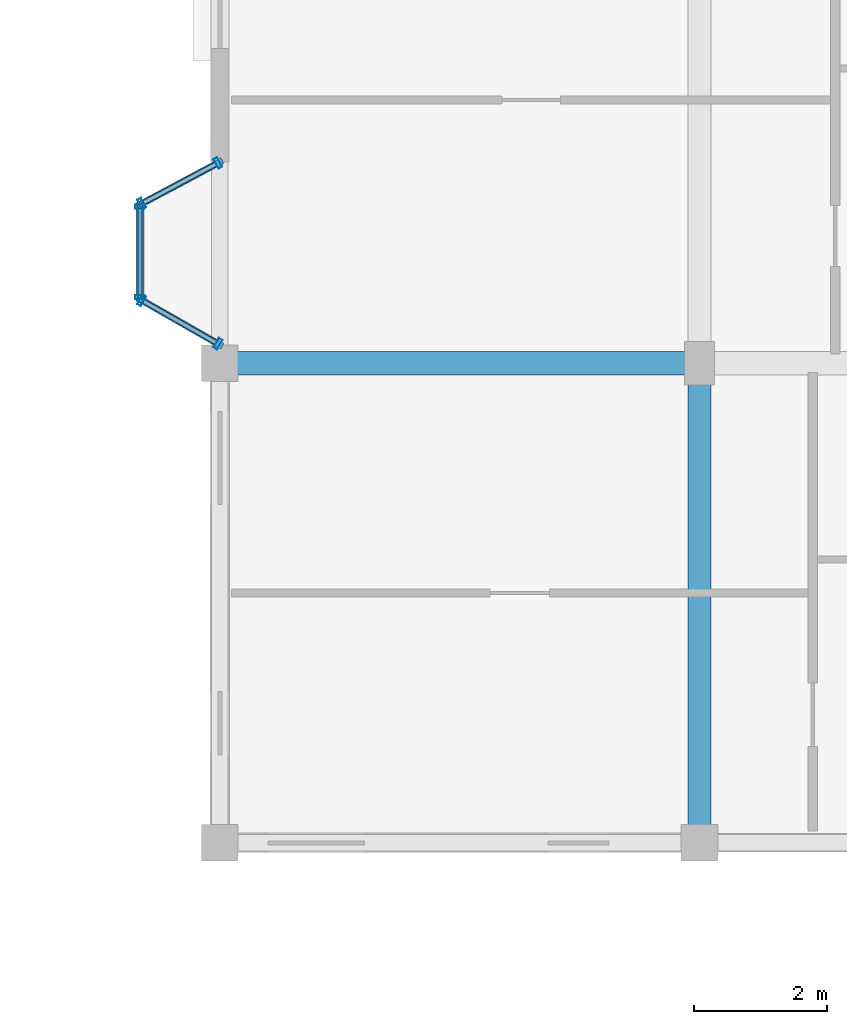
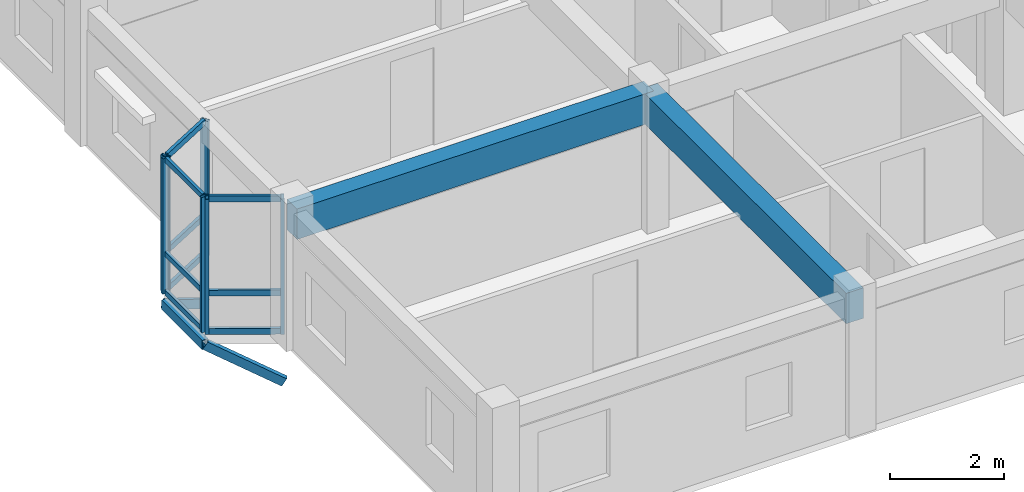
# One storey, part 21 of 77: 18 members, 2 beams, 3 elements without a shape of their own.
"""IFC4 building model written with IfcOpenShell, lengths in metres."""

import ifcopenshell
import ifcopenshell.guid

model = None  # the IFC model being written
_history = None  # IfcOwnerHistory: only IFC2X3 demands one
_inside = {}  # id of a spatial element -> (the spatial element, [elements in it])
_under = {}  # id of a project, library or spatial element -> (it, [spatial elements below it])
_declared = {}  # id of a project -> (the project, [libraries it declares])
_typed = {}  # id of a type object -> (the type object, [elements of that type])
_made_of = {}  # id of a material, layer set ... -> (it, [elements and type objects made of it])


def new_model(schema):
    """Start an empty IFC model of exactly this schema.

    Asked for "IFC4X3", IfcOpenShell would pick the latest addendum, in which some entities
    have other attributes; the version numbers below select the first issue.
    IFC2X3 requires an IfcOwnerHistory on every rooted entity: one is made here for all.
    """
    global model, _history
    if schema == "IFC4X3":
        model = ifcopenshell.file(schema_version=(4, 3, 0, 0))
    else:
        model = ifcopenshell.file(schema=schema)
    _inside.clear()
    _under.clear()
    _declared.clear()
    _typed.clear()
    _made_of.clear()
    _history = None
    if model.schema == "IFC2X3":
        org = make("IfcOrganization", Name="unknown")
        user = make(
            "IfcPersonAndOrganization",
            ThePerson=make("IfcPerson", FamilyName="unknown"),
            TheOrganization=org,
        )
        app = make(
            "IfcApplication",
            ApplicationDeveloper=org,
            Version="unknown",
            ApplicationFullName="unknown",
            ApplicationIdentifier="unknown",
        )
        _history = make(
            "IfcOwnerHistory",
            OwningUser=user,
            OwningApplication=app,
            ChangeAction="ADDED",
            CreationDate=0,
        )
    return model


def make(cls, **values):
    """One entity of the class cls with the attributes given. An attribute that is None is left unset."""
    return model.create_entity(
        cls, **{name: value for name, value in values.items() if value is not None}
    )


def rooted(cls, **values):
    """An entity with a GlobalId (a new one), such as an element, a storey or a relation."""
    return make(cls, GlobalId=ifcopenshell.guid.new(), OwnerHistory=_history, **values)


def si_unit(unit_type, name, prefix=None):
    """IfcSIUnit, for example si_unit("LENGTHUNIT", "METRE", prefix="MILLI")."""
    return make("IfcSIUnit", UnitType=unit_type, Prefix=prefix, Name=name)


def assignment(units):
    """IfcUnitAssignment: the units of a project."""
    return None if units is None else make("IfcUnitAssignment", Units=units)


def point(xyz):
    """IfcCartesianPoint."""
    return None if xyz is None else make("IfcCartesianPoint", Coordinates=xyz)


def direction(xyz):
    """IfcDirection."""
    return None if xyz is None else make("IfcDirection", DirectionRatios=xyz)


def frame(location, z_axis=None, x_axis=None):
    """IfcAxis2Placement3D, a coordinate frame: its origin and axes. An axis left out is left unset."""
    return make(
        "IfcAxis2Placement3D",
        Location=point(location),
        Axis=direction(z_axis),
        RefDirection=direction(x_axis),
    )


def frame_2d(location, x_axis=None):
    """IfcAxis2Placement2D, a coordinate frame in the plane: its origin and x axis."""
    return make(
        "IfcAxis2Placement2D", Location=point(location), RefDirection=direction(x_axis)
    )


def origin():
    """The frame at (0, 0, 0) with its axes left unset."""
    return frame((0.0, 0.0, 0.0))


def origin_2d():
    """The frame at (0, 0) in the plane with its x axis left unset."""
    return frame_2d((0.0, 0.0))


def place(relative_to, where):
    """IfcLocalPlacement: puts the frame where relative to a parent placement (None: the world)."""
    return make(
        "IfcLocalPlacement", PlacementRelTo=relative_to, RelativePlacement=where
    )


def context(
    kind, dimensions, precision=None, world=None, true_north=None, identifier=None
):
    """IfcGeometricRepresentationContext, for example the 3D "Model" context."""
    return make(
        "IfcGeometricRepresentationContext",
        ContextIdentifier=identifier,
        ContextType=kind,
        CoordinateSpaceDimension=dimensions,
        Precision=precision,
        WorldCoordinateSystem=world,
        TrueNorth=true_north,
    )


def subcontext(parent, identifier, kind, view, scale=None):
    """IfcGeometricRepresentationSubContext, for example "Body" below "Model"."""
    return make(
        "IfcGeometricRepresentationSubContext",
        ContextIdentifier=identifier,
        ContextType=kind,
        ParentContext=parent,
        TargetScale=scale,
        TargetView=view,
    )


def project(units=None, contexts=None):
    """IfcProject with its units and contexts."""
    return rooted(
        "IfcProject",
        Name="project",
        RepresentationContexts=contexts,
        UnitsInContext=assignment(units),
    )


def spatial(cls, under=None, at=None, **own):
    """A site, building, storey or space (cls), placed at a placement, below another one or the project."""
    s = rooted(cls, ObjectPlacement=at, **own)
    if under is not None:
        _under.setdefault(under.id(), (under, []))[1].append(s)
    return s


def profile(cls, at=None, kind="AREA", **sizes):
    """A parametric profile (cls). Its sizes go by their IFC names, for example OverallWidth=200.0."""
    return make(cls, ProfileType=kind, Position=at, **sizes)


def rectangle(**sizes):
    """IfcRectangleProfileDef."""
    return profile("IfcRectangleProfileDef", **sizes)


def hollow_rectangle(**sizes):
    """IfcRectangleHollowProfileDef."""
    return profile("IfcRectangleHollowProfileDef", **sizes)


def extrude(swept, where, along, depth):
    """IfcExtrudedAreaSolid: the profile swept, set in the frame where, extruded along a direction by depth."""
    return make(
        "IfcExtrudedAreaSolid",
        SweptArea=swept,
        Position=where,
        ExtrudedDirection=direction(along),
        Depth=depth,
    )


def shape(context_of_items, identifier, shape_type, items):
    """IfcShapeRepresentation: the items that make up one representation, for example the "Body"."""
    return make(
        "IfcShapeRepresentation",
        ContextOfItems=context_of_items,
        RepresentationIdentifier=identifier,
        RepresentationType=shape_type,
        Items=items,
    )


def material(Name=None, Category=None):
    """IfcMaterial."""
    return make("IfcMaterial", Name=Name, Category=Category)


def layer(
    of_material, thickness, ventilated=None, Name=None, Category=None, Priority=None
):
    """IfcMaterialLayer: one layer of a wall or slab, of a material (None: an air gap)."""
    return make(
        "IfcMaterialLayer",
        Material=of_material,
        LayerThickness=thickness,
        IsVentilated=ventilated,
        Name=Name,
        Category=Category,
        Priority=Priority,
    )


def layer_set(layers, Name=None):
    """IfcMaterialLayerSet."""
    return make("IfcMaterialLayerSet", MaterialLayers=layers, LayerSetName=Name)


def material_profile(
    of_material, cross_section, Name=None, Category=None, Priority=None
):
    """IfcMaterialProfile: a cross section and its material."""
    return make(
        "IfcMaterialProfile",
        Name=Name,
        Material=of_material,
        Profile=cross_section,
        Priority=Priority,
        Category=Category,
    )


def profile_set(profiles, Name=None, composite=None):
    """IfcMaterialProfileSet."""
    return make(
        "IfcMaterialProfileSet",
        Name=Name,
        MaterialProfiles=profiles,
        CompositeProfile=composite,
    )


def made_of(thing, what):
    """Note that an element or type object is made of a material, layer set ...; save() writes the relation."""
    if what is not None:
        _made_of.setdefault(what.id(), (what, []))[1].append(thing)
    return thing


def type_object(cls, material=None, **own):
    """A type object (cls), such as IfcWallType, which elements share."""
    return made_of(rooted(cls, **own), material)


def element(
    cls,
    number,
    at=None,
    inside=None,
    cuts=None,
    type_object=None,
    material=None,
    context=None,
    identifier="Body",
    shape_type=None,
    held_by="IfcProductDefinitionShape",
    body=None,
    shapes=None,
    **own,
):
    """One element of the class cls, such as IfcWall. Its Tag is "e" and its number.

    at: its placement. inside: the storey or other place that contains it. cuts: it is an
    opening in that element (IfcRelVoidsElement). A single representation is given by context,
    identifier, shape_type and body (its items); several are given by shapes. held_by: the class
    of the entity that holds the representations. save() writes the other relations.
    """
    e = rooted(cls, Tag="e%d" % number, ObjectPlacement=at, **own)
    if body is not None:
        shapes = [shape(context, identifier, shape_type, body)]
    if shapes is not None:
        e.Representation = make(held_by, Representations=shapes)
    if inside is not None:
        _inside.setdefault(inside.id(), (inside, []))[1].append(e)
    if cuts is not None:
        rooted(
            "IfcRelVoidsElement", RelatingBuildingElement=cuts, RelatedOpeningElement=e
        )
    if type_object is not None:
        _typed.setdefault(type_object.id(), (type_object, []))[1].append(e)
    return made_of(e, material)


def aggregate(whole, parts):
    """IfcRelAggregates: a whole, such as a stair, and the parts it consists of."""
    return rooted("IfcRelAggregates", RelatingObject=whole, RelatedObjects=parts)


def save(model, path):
    """Write the relations noted so far, then the file.

    IfcRelAggregates (storeys below a building ...), IfcRelContainedInSpatialStructure (elements
    in a storey), IfcRelDefinesByType, IfcRelAssociatesMaterial and IfcRelDeclares: one each for
    every whole, place, type object, material and project.
    """
    for whole, parts in _under.values():
        aggregate(whole, parts)
    for where, things in _inside.values():
        rooted(
            "IfcRelContainedInSpatialStructure",
            RelatedElements=things,
            RelatingStructure=where,
        )
    for kind, things in _typed.values():
        rooted("IfcRelDefinesByType", RelatedObjects=things, RelatingType=kind)
    for what, things in _made_of.values():
        rooted("IfcRelAssociatesMaterial", RelatedObjects=things, RelatingMaterial=what)
    for by, libraries in _declared.values():
        rooted("IfcRelDeclares", RelatingContext=by, RelatedDefinitions=libraries)
    model.write(path)


model = new_model("IFC4")

# Units and contexts
model_context = context("Model", 3, precision=1e-05, world=origin(), true_north=direction((0.0, 1.0)))
body_context = subcontext(model_context, "Body", "Model", "MODEL_VIEW")
ifc_project = project(units=[si_unit("LENGTHUNIT", "METRE"), si_unit("AREAUNIT", "SQUARE_METRE"), si_unit("VOLUMEUNIT", "CUBIC_METRE"), si_unit("PLANEANGLEUNIT", "RADIAN"), si_unit("MASSUNIT", "GRAM", prefix="KILO"), si_unit("THERMODYNAMICTEMPERATUREUNIT", "KELVIN"), si_unit("POWERUNIT", "WATT")], contexts=[model_context])

# Site, building, storey
site_placement = place(None, origin())
site = spatial("IfcSite", under=ifc_project, at=site_placement, CompositionType="ELEMENT")
building_placement = place(site_placement, origin())
building = spatial("IfcBuilding", under=site, at=building_placement, Name="Tavuni Mirador Residences", CompositionType="ELEMENT")
storey_placement = place(building_placement, frame((0.0, 0.0, 10.800048828125)))
storey = spatial("IfcBuildingStorey", under=building, at=storey_placement, Name="L03", CompositionType="ELEMENT", Elevation=10.800048828125)

# Beams
ifc_material_1 = material(Name="Precast concrete C40/50", Category="concrete")
ifc_material_profile_1 = material_profile(ifc_material_1, rectangle(XDim=0.35009765625, YDim=0.64990234375, at=origin_2d()), Name="PC 350x650", Category="concrete")
ifc_profile_set_1 = profile_set([ifc_material_profile_1], Name="Precast concrete C40/50")
beam_type = type_object("IfcBeamType", Name="BT-B650", PredefinedType="BEAM", material=ifc_profile_set_1)
beam_1_placement = place(storey_placement, frame((90.0, 93.60009765625, 2.56494140625), z_axis=(1.0, 0.0, 0.0), x_axis=(0.0, 1.0, 0.0)))
element("IfcBeam", 1, at=beam_1_placement, inside=storey, type_object=beam_type, Name="BMX-BLK-D-L03-00-01", PredefinedType="BEAM", context=body_context, shape_type="SweptSolid", body=[
    extrude(rectangle(XDim=0.35009765625, YDim=0.64990234375, at=origin_2d()), origin(), (0.0, 0.0, 1.0), 7.199951171875),
])
beam_2_placement = place(storey_placement, frame((97.199951171875, 86.39990234375, 2.56494140625), z_axis=(0.0, 1.0, 0.0), x_axis=(-1.0, 0.0, 0.0)))
element("IfcBeam", 2, at=beam_2_placement, inside=storey, type_object=beam_type, Name="BMY-BLK-D-L03-01-00", PredefinedType="BEAM", context=body_context, shape_type="SweptSolid", body=[
    extrude(rectangle(XDim=0.35009765625, YDim=0.64990234375, at=origin_2d()), origin(), (0.0, 0.0, 1.0), 7.2001953125),
])

# Curtain wall, members
ifc_material_2 = material(Name="Anodised aluminium", Category="aluminium")
ifc_layer_1 = layer(ifc_material_2, 0.1650390625, Name="Anodised aluminium", Category="aluminium")
ifc_layer_set_1 = layer_set([ifc_layer_1], Name="Anodised aluminium")
curtain_wall_type_1 = type_object("IfcCurtainWallType", Name="CWT-MIR-A", PredefinedType="NOTDEFINED", material=ifc_layer_set_1)
curtain_wall_1_placement = place(storey_placement, origin())
curtain_wall_1 = element("IfcCurtainWall", 3, at=curtain_wall_1_placement, inside=storey, type_object=curtain_wall_type_1, Name="CW-MIR-D-W1-L03-MF", PredefinedType="NOTDEFINED")
ifc_material_profile_2 = material_profile(ifc_material_2, hollow_rectangle(XDim=0.06005859375, YDim=0.139892578125, WallThickness=0.00390625, at=origin_2d()), Name="ALU 60x140x4.0", Category="aluminium")
ifc_profile_set_2 = profile_set([ifc_material_profile_2], Name="Anodised aluminium")
member_type_1 = type_object("IfcMemberType", Name="CWM-140", PredefinedType="MULLION", material=ifc_profile_set_2)
member_1_placement = place(storey_placement, frame((88.800048828125, 95.949951171875, 0.0), z_axis=(0.0, 0.0, 1.0), x_axis=(0.0, -1.0, 0.0)))
member_1 = element("IfcMember", 4, at=member_1_placement, type_object=member_type_1, Name="CW-01 mullion 1", PredefinedType="MULLION", context=body_context, shape_type="SweptSolid", body=[
    extrude(hollow_rectangle(XDim=0.06005859375, YDim=0.139892578125, WallThickness=0.00390625, at=origin_2d()), origin(), (0.0, 0.0, 1.0), 2.889892578125),
])
member_2_placement = place(storey_placement, frame((88.800048828125, 94.590087890625, 0.0), z_axis=(0.0, 0.0, 1.0), x_axis=(0.0, -1.0, 0.0)))
member_2 = element("IfcMember", 5, at=member_2_placement, type_object=member_type_1, Name="CW-01 mullion 2", PredefinedType="MULLION", context=body_context, shape_type="SweptSolid", body=[
    extrude(hollow_rectangle(XDim=0.06005859375, YDim=0.139892578125, WallThickness=0.00390625, at=origin_2d()), origin(), (0.0, 0.0, 1.0), 2.889892578125),
])

ifc_layer_2 = layer(ifc_material_2, 0.159912109375, Name="Anodised aluminium", Category="aluminium")
ifc_layer_set_2 = layer_set([ifc_layer_2], Name="Anodised aluminium")
curtain_wall_type_2 = type_object("IfcCurtainWallType", Name="CWT-MIR-D", PredefinedType="NOTDEFINED", material=ifc_layer_set_2)
curtain_wall_2_placement = place(storey_placement, origin())
curtain_wall_2 = element("IfcCurtainWall", 6, at=curtain_wall_2_placement, inside=storey, type_object=curtain_wall_type_2, Name="CW-MIR-D-W1-L03-M1", PredefinedType="NOTDEFINED")
ifc_material_profile_3 = material_profile(ifc_material_2, hollow_rectangle(XDim=0.06494140625, YDim=0.1650390625, WallThickness=0.00439453125, at=origin_2d()), Name="ALU 65x165x4.5", Category="aluminium")
ifc_profile_set_3 = profile_set([ifc_material_profile_3], Name="Anodised aluminium")
member_type_2 = type_object("IfcMemberType", Name="CWM-165", PredefinedType="MULLION", material=ifc_profile_set_3)
member_3_placement = place(storey_placement, frame((89.971435546875, 96.604736328125, 0.0), z_axis=(0.0, 0.0, 1.0), x_axis=(-0.882352941175, -0.470588235296, 0.0)))
member_3 = element("IfcMember", 7, at=member_3_placement, type_object=member_type_2, Name="CW-04 mullion 1", PredefinedType="MULLION", context=body_context, shape_type="SweptSolid", body=[
    extrude(hollow_rectangle(XDim=0.06494140625, YDim=0.1650390625, WallThickness=0.00439453125, at=origin_2d()), origin(), (0.0, 0.0, 1.0), 2.889892578125),
])
member_4_placement = place(storey_placement, frame((88.82861328125, 95.995361328125, 0.0), z_axis=(0.0, 0.0, 1.0), x_axis=(-0.882352941175, -0.470588235296, 0.0)))
member_4 = element("IfcMember", 8, at=member_4_placement, type_object=member_type_2, Name="CW-04 mullion 2", PredefinedType="MULLION", context=body_context, shape_type="SweptSolid", body=[
    extrude(hollow_rectangle(XDim=0.06494140625, YDim=0.1650390625, WallThickness=0.00439453125, at=origin_2d()), origin(), (0.0, 0.0, 1.0), 2.889892578125),
])

ifc_layer_3 = layer(ifc_material_2, 0.14990234375, Name="Anodised aluminium", Category="aluminium")
ifc_layer_set_3 = layer_set([ifc_layer_3], Name="Anodised aluminium")
curtain_wall_type_3 = type_object("IfcCurtainWallType", Name="CWT-MIR-B", PredefinedType="NOTDEFINED", material=ifc_layer_set_3)
curtain_wall_3_placement = place(storey_placement, origin())
curtain_wall_3 = element("IfcCurtainWall", 9, at=curtain_wall_3_placement, inside=storey, type_object=curtain_wall_type_3, Name="CW-MIR-D-W1-L03-M2", PredefinedType="NOTDEFINED")
member_5_placement = place(storey_placement, frame((88.828125, 94.5439453125, 0.0), z_axis=(0.0, 0.0, 1.0), x_axis=(0.868465738194, -0.495749192217, 0.0)))
member_5 = element("IfcMember", 10, at=member_5_placement, type_object=member_type_2, Name="CW-02 mullion 1", PredefinedType="MULLION", context=body_context, shape_type="SweptSolid", body=[
    extrude(hollow_rectangle(XDim=0.06494140625, YDim=0.1650390625, WallThickness=0.00439453125, at=origin_2d()), origin(), (0.0, 0.0, 1.0), 2.889892578125),
])
member_6_placement = place(storey_placement, frame((89.9716796875, 93.89111328125, 0.0), z_axis=(0.0, 0.0, 1.0), x_axis=(0.868465738194, -0.495749192217, 0.0)))
member_6 = element("IfcMember", 11, at=member_6_placement, type_object=member_type_2, Name="CW-02 mullion 2", PredefinedType="MULLION", context=body_context, shape_type="SweptSolid", body=[
    extrude(hollow_rectangle(XDim=0.06494140625, YDim=0.1650390625, WallThickness=0.00439453125, at=origin_2d()), origin(), (0.0, 0.0, 1.0), 2.889892578125),
])

# Member
ifc_material_profile_4 = material_profile(ifc_material_2, hollow_rectangle(XDim=0.06005859375, YDim=0.110107421875, WallThickness=0.00390625, at=origin_2d()), Name="ALU 60x110x4.0", Category="aluminium")
ifc_profile_set_4 = profile_set([ifc_material_profile_4], Name="Anodised aluminium")
member_type_3 = type_object("IfcMemberType", Name="CWT-110", PredefinedType="USERDEFINED", material=ifc_profile_set_4)
member_7_placement = place(storey_placement, frame((88.800048828125, 95.919921875, 0.030029296875), z_axis=(0.0, -1.0, 0.0), x_axis=(1.0, 0.0, 0.0)))
member_7 = element("IfcMember", 12, at=member_7_placement, type_object=member_type_3, Name="CW-01 transom 1.1", ObjectType="TRANSOM", PredefinedType="USERDEFINED", context=body_context, shape_type="SweptSolid", body=[
    extrude(hollow_rectangle(XDim=0.06005859375, YDim=0.110107421875, WallThickness=0.00390625, at=origin_2d()), origin(), (0.0, 0.0, 1.0), 1.2998046875),
])

member_8_placement = place(storey_placement, frame((88.800048828125, 95.919921875, 0.849853515625), z_axis=(0.0, -1.0, 0.0), x_axis=(1.0, 0.0, 0.0)))
member_8 = element("IfcMember", 13, at=member_8_placement, type_object=member_type_3, Name="CW-01 transom 1.2", ObjectType="TRANSOM", PredefinedType="USERDEFINED", context=body_context, shape_type="SweptSolid", body=[
    extrude(hollow_rectangle(XDim=0.06005859375, YDim=0.110107421875, WallThickness=0.00390625, at=origin_2d()), origin(), (0.0, 0.0, 1.0), 1.2998046875),
])

member_9_placement = place(storey_placement, frame((88.800048828125, 95.919921875, 2.85986328125), z_axis=(0.0, -1.0, 0.0), x_axis=(1.0, 0.0, 0.0)))
member_9 = element("IfcMember", 14, at=member_9_placement, type_object=member_type_3, Name="CW-01 transom 1.3", ObjectType="TRANSOM", PredefinedType="USERDEFINED", context=body_context, shape_type="SweptSolid", body=[
    extrude(hollow_rectangle(XDim=0.06005859375, YDim=0.110107421875, WallThickness=0.00390625, at=origin_2d()), origin(), (0.0, 0.0, 1.0), 1.2998046875),
])

aggregate(curtain_wall_1, [member_1, member_2, member_7, member_8, member_9])

ifc_material_profile_5 = material_profile(ifc_material_2, hollow_rectangle(XDim=0.06494140625, YDim=0.125, WallThickness=0.00439453125, at=origin_2d()), Name="ALU 65x125x4.5", Category="aluminium")
ifc_profile_set_5 = profile_set([ifc_material_profile_5], Name="Anodised aluminium")
member_type_4 = type_object("IfcMemberType", Name="CWT-125", PredefinedType="USERDEFINED", material=ifc_profile_set_5)
member_10_placement = place(storey_placement, frame((89.942626953125, 96.58935546875, 0.032470703125), z_axis=(-0.882325465843, -0.470639747922, 0.0), x_axis=(0.470639747922, -0.882325465843, 0.0)))
member_10 = element("IfcMember", 15, at=member_10_placement, type_object=member_type_4, Name="CW-04 transom 1.1", ObjectType="TRANSOM", PredefinedType="USERDEFINED", context=body_context, shape_type="SweptSolid", body=[
    extrude(hollow_rectangle(XDim=0.06494140625, YDim=0.125, WallThickness=0.00439453125, at=origin_2d()), origin(), (0.0, 0.0, 1.0), 1.22998046875),
])

member_11_placement = place(storey_placement, frame((89.942626953125, 96.58935546875, 0.849853515625), z_axis=(-0.882325465843, -0.470639747922, 0.0), x_axis=(0.470639747922, -0.882325465843, 0.0)))
member_11 = element("IfcMember", 16, at=member_11_placement, type_object=member_type_4, Name="CW-04 transom 1.2", ObjectType="TRANSOM", PredefinedType="USERDEFINED", context=body_context, shape_type="SweptSolid", body=[
    extrude(hollow_rectangle(XDim=0.06494140625, YDim=0.125, WallThickness=0.00439453125, at=origin_2d()), origin(), (0.0, 0.0, 1.0), 1.22998046875),
])

member_12_placement = place(storey_placement, frame((89.942626953125, 96.58935546875, 2.857421875), z_axis=(-0.882325465843, -0.470639747922, 0.0), x_axis=(0.470639747922, -0.882325465843, 0.0)))
member_12 = element("IfcMember", 17, at=member_12_placement, type_object=member_type_4, Name="CW-04 transom 1.3", ObjectType="TRANSOM", PredefinedType="USERDEFINED", context=body_context, shape_type="SweptSolid", body=[
    extrude(hollow_rectangle(XDim=0.06494140625, YDim=0.125, WallThickness=0.00439453125, at=origin_2d()), origin(), (0.0, 0.0, 1.0), 1.22998046875),
])

aggregate(curtain_wall_2, [member_3, member_4, member_10, member_11, member_12])

member_13_placement = place(storey_placement, frame((88.8564453125, 94.52783203125, 0.032470703125), z_axis=(0.868459090685, -0.495760837306, 0.0), x_axis=(0.495760837306, 0.868459090685, 0.0)))
member_13 = element("IfcMember", 18, at=member_13_placement, type_object=member_type_4, Name="CW-02 transom 1.1", ObjectType="TRANSOM", PredefinedType="USERDEFINED", context=body_context, shape_type="SweptSolid", body=[
    extrude(hollow_rectangle(XDim=0.06494140625, YDim=0.125, WallThickness=0.00439453125, at=origin_2d()), origin(), (0.0, 0.0, 1.0), 1.251708984375),
])

member_14_placement = place(storey_placement, frame((88.8564453125, 94.52783203125, 0.849853515625), z_axis=(0.868459090685, -0.495760837306, 0.0), x_axis=(0.495760837306, 0.868459090685, 0.0)))
member_14 = element("IfcMember", 19, at=member_14_placement, type_object=member_type_4, Name="CW-02 transom 1.2", ObjectType="TRANSOM", PredefinedType="USERDEFINED", context=body_context, shape_type="SweptSolid", body=[
    extrude(hollow_rectangle(XDim=0.06494140625, YDim=0.125, WallThickness=0.00439453125, at=origin_2d()), origin(), (0.0, 0.0, 1.0), 1.251708984375),
])

member_15_placement = place(storey_placement, frame((88.8564453125, 94.52783203125, 2.857421875), z_axis=(0.868459090685, -0.495760837306, 0.0), x_axis=(0.495760837306, 0.868459090685, 0.0)))
member_15 = element("IfcMember", 20, at=member_15_placement, type_object=member_type_4, Name="CW-02 transom 1.3", ObjectType="TRANSOM", PredefinedType="USERDEFINED", context=body_context, shape_type="SweptSolid", body=[
    extrude(hollow_rectangle(XDim=0.06494140625, YDim=0.125, WallThickness=0.00439453125, at=origin_2d()), origin(), (0.0, 0.0, 1.0), 1.251708984375),
])

aggregate(curtain_wall_3, [member_5, member_6, member_13, member_14, member_15])

# Members
ifc_material_3 = material(Name="Structural steel S355", Category="steel")
ifc_material_profile_6 = material_profile(ifc_material_3, hollow_rectangle(XDim=0.10009765625, YDim=0.179931640625, WallThickness=0.008056640625, at=origin_2d()), Name="RHS 180x100x8.0", Category="steel")
ifc_profile_set_6 = profile_set([ifc_material_profile_6], Name="Structural steel S355")
member_type_5 = type_object("IfcMemberType", Name="MT-BR-RHS180", PredefinedType="BRACE", material=ifc_profile_set_6)
member_16_placement = place(storey_placement, frame((90.0, 93.875, -1.050048828125), z_axis=(-0.753903905175, 0.430407804256, 0.496364809185), x_axis=(-0.495796390047, -0.868438794398, 0.0)))
element("IfcMember", 21, at=member_16_placement, inside=storey, type_object=member_type_5, Name="MBRK-MIR-D-W1-L03-1", PredefinedType="BRACE", context=body_context, shape_type="SweptSolid", body=[
    extrude(hollow_rectangle(XDim=0.10009765625, YDim=0.179931640625, WallThickness=0.008056640625, at=origin_2d()), origin(), (0.0, 0.0, 1.0), 1.591552734375),
])
member_17_placement = place(storey_placement, frame((90.0, 96.6201171875, -1.050048828125), z_axis=(-0.762920992699, -0.406994678099, 0.502301593565), x_axis=(0.470681405175, -0.882303244255, 0.0)))
element("IfcMember", 22, at=member_17_placement, inside=storey, type_object=member_type_5, Name="MBRK-MIR-D-W1-L03-2", PredefinedType="BRACE", context=body_context, shape_type="SweptSolid", body=[
    extrude(hollow_rectangle(XDim=0.10009765625, YDim=0.179931640625, WallThickness=0.008056640625, at=origin_2d()), origin(), (0.0, 0.0, 1.0), 1.57275390625),
])
ifc_material_profile_7 = material_profile(ifc_material_3, hollow_rectangle(XDim=0.1201171875, YDim=0.199951171875, WallThickness=0.010009765625, at=origin_2d()), Name="RHS 200x120x10.0", Category="steel")
ifc_profile_set_7 = profile_set([ifc_material_profile_7], Name="Structural steel S355")
member_type_6 = type_object("IfcMemberType", Name="MT-ST-RHS200", PredefinedType="STRUT", material=ifc_profile_set_7)
member_18_placement = place(storey_placement, frame((88.800048828125, 94.56005859375, -0.260009765625), z_axis=(0.0, 1.0, 0.0), x_axis=(-1.0, 0.0, 0.0)))
element("IfcMember", 23, at=member_18_placement, inside=storey, type_object=member_type_6, Name="MRIM-MIR-D-W1-L03", PredefinedType="STRUT", context=body_context, shape_type="SweptSolid", body=[
    extrude(hollow_rectangle(XDim=0.1201171875, YDim=0.199951171875, WallThickness=0.010009765625, at=origin_2d()), origin(), (0.0, 0.0, 1.0), 1.419921875),
])

save(model, "model.ifc")
